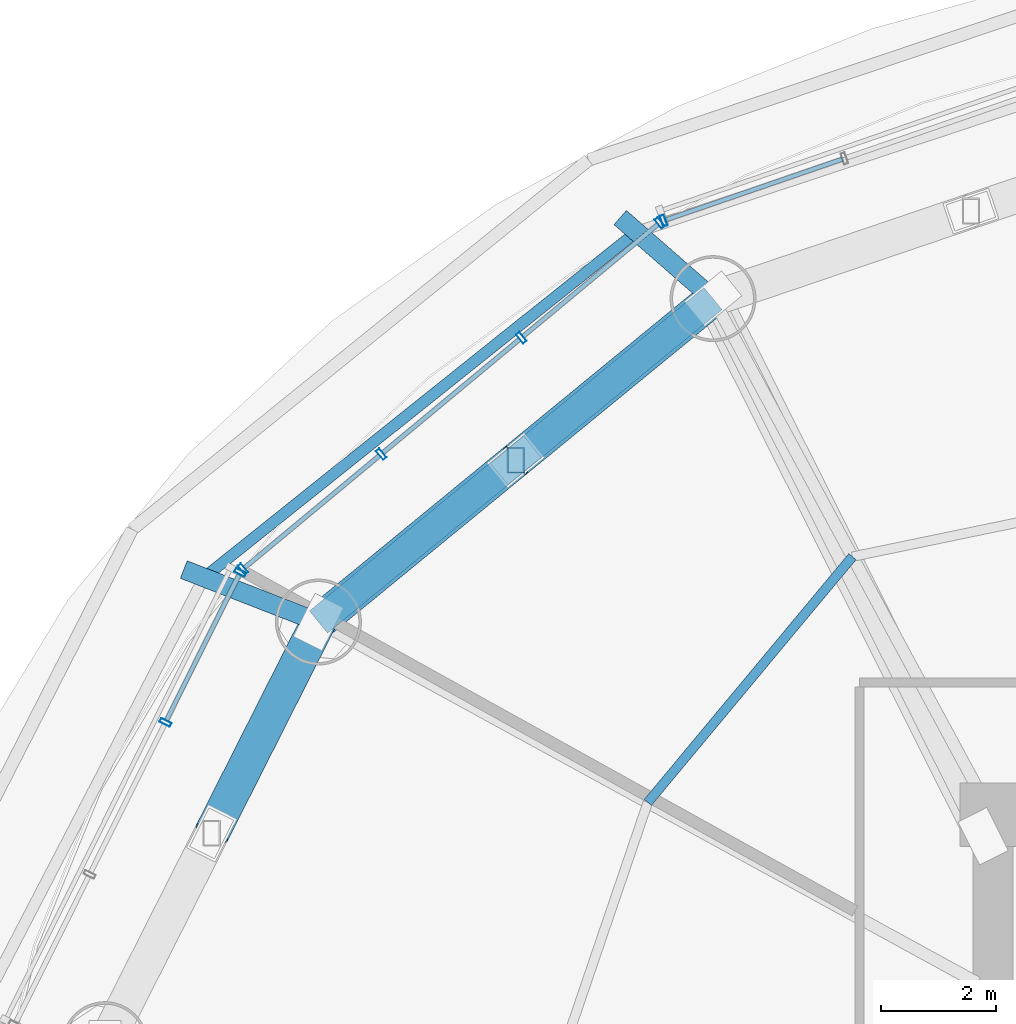
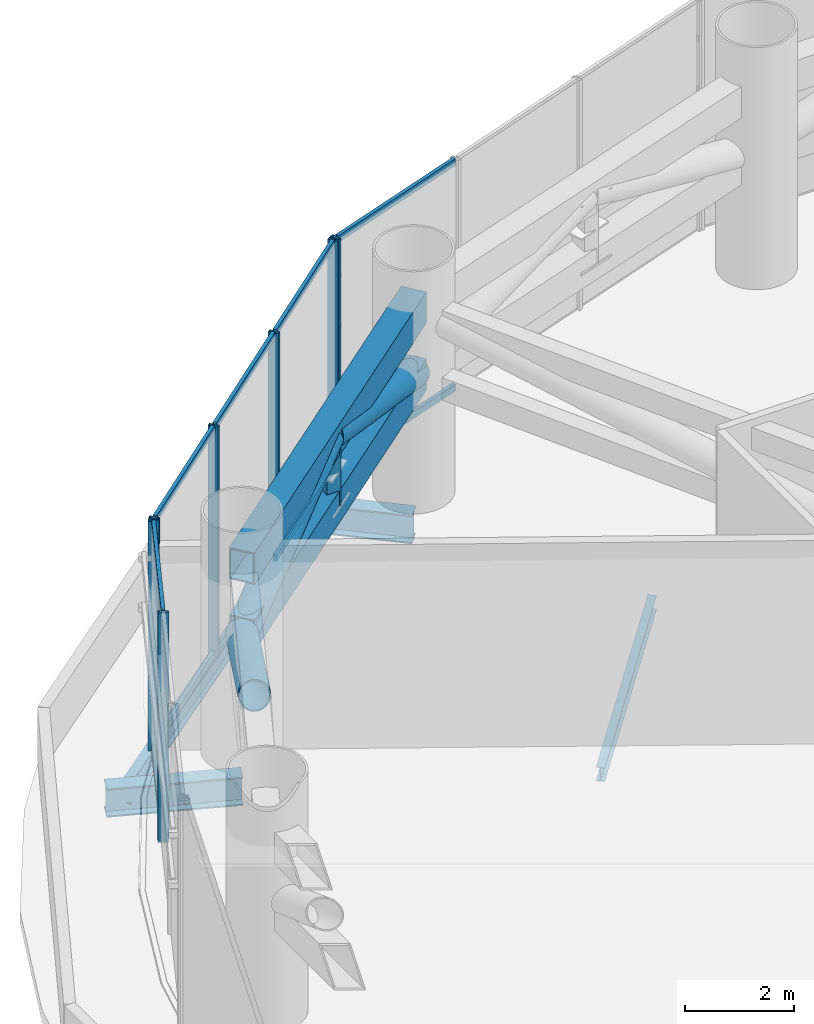
# One storey, part 18 of 33: 23 members, 4 beams, 3 elements without a shape of their own.
"""IFC4 building model written with IfcOpenShell, lengths in metres."""

from ifc_helpers import new_model, si_unit, direction, frame, origin, origin_2d, place, context, subcontext, project, spatial, hollow_rectangle, hollow_circle, i_section, extrude, source, transform, mapped, material, material_profile, profile_set, type_object, element, aggregate, save


model = new_model("IFC4")

# Units and contexts
model_context = context("Model", 3, precision=1e-05, world=origin(), true_north=direction((-0.2419218956, 0.970295726276)))
body_context = subcontext(model_context, "Body", "Model", "MODEL_VIEW")
ifc_project = project(units=[si_unit("LENGTHUNIT", "METRE"), si_unit("AREAUNIT", "SQUARE_METRE"), si_unit("VOLUMEUNIT", "CUBIC_METRE"), si_unit("PLANEANGLEUNIT", "RADIAN"), si_unit("MASSUNIT", "GRAM", prefix="KILO")], contexts=[model_context])

# Site, building, storey
site_placement = place(None, origin())
site = spatial("IfcSite", under=ifc_project, at=site_placement, CompositionType="ELEMENT")
building_placement = place(site_placement, origin())
building = spatial("IfcBuilding", under=site, at=building_placement, Name="Cobrevalo Terracotta Tower", CompositionType="ELEMENT")
storey_placement = place(building_placement, frame((0.0, 0.0, 74.39990234375)))
storey = spatial("IfcBuildingStorey", under=building, at=storey_placement, Name="L19", CompositionType="ELEMENT", Elevation=74.39990234375)

# Beams
ifc_material_1 = material(Name="Steel S355", Category="steel")
ifc_material_profile_1 = material_profile(ifc_material_1, i_section(OverallWidth=0.3291015625, OverallDepth=0.635009765625, WebThickness=0.017822265625, FlangeThickness=0.031005859375, at=origin_2d()), Name="W 610x241")
ifc_profile_set_1 = profile_set([ifc_material_profile_1], Name="Steel S355")
beam_type_1 = type_object("IfcBeamType", Name="Structural Beam W 610x241 (Steel S355)", PredefinedType="BEAM", material=ifc_profile_set_1)
beam_1_placement = place(storey_placement, frame((22.518798828125, 45.217529296875, -0.767333984375), z_axis=(0.753293726106, -0.657684242026, 0.0), x_axis=(0.657684242026, 0.753293726106, 0.0)))
element("IfcBeam", 1, at=beam_1_placement, inside=storey, type_object=beam_type_1, Name="L19 setback step-link girder 06", PredefinedType="BEAM", context=body_context, shape_type="SweptSolid", body=[
    extrude(i_section(OverallWidth=0.3291015625, OverallDepth=0.635009765625, WebThickness=0.017822265625, FlangeThickness=0.031005859375, at=origin_2d()), origin(), (0.0, 0.0, 1.0), 2.150146484375),
])
beam_2_placement = place(storey_placement, frame((14.9052734375, 39.0771484375, -0.767333984375), z_axis=(0.931731877135, -0.363146952528, 0.0), x_axis=(0.363146952528, 0.931731877135, 0.0)))
element("IfcBeam", 2, at=beam_2_placement, inside=storey, type_object=beam_type_1, Name="L19 setback step-link girder 07", PredefinedType="BEAM", context=body_context, shape_type="SweptSolid", body=[
    extrude(i_section(OverallWidth=0.3291015625, OverallDepth=0.635009765625, WebThickness=0.017822265625, FlangeThickness=0.031005859375, at=origin_2d()), origin(), (0.0, 0.0, 1.0), 2.521728515625),
])
ifc_material_profile_2 = material_profile(ifc_material_1, i_section(OverallWidth=0.1650390625, OverallDepth=0.31005859375, WebThickness=0.005859375, FlangeThickness=0.009765625, at=origin_2d()), Name="W 310x38.7")
ifc_profile_set_2 = profile_set([ifc_material_profile_2], Name="Steel S355")
beam_type_2 = type_object("IfcBeamType", Name="Structural Joist W 310x38.7 (Steel S355)", PredefinedType="JOIST", material=ifc_profile_set_2)
beam_3_placement = place(storey_placement, frame((26.5693359375, 39.3017578125, -0.60498046875), z_axis=(-0.639882999398, -0.768472346335, 0.0), x_axis=(0.768472346335, -0.639882999398, 0.0)))
element("IfcBeam", 3, at=beam_3_placement, inside=storey, type_object=beam_type_2, Name="L19 circumferential secondary floor joist 06", PredefinedType="JOIST", context=body_context, shape_type="SweptSolid", body=[
    extrude(i_section(OverallWidth=0.1650390625, OverallDepth=0.31005859375, WebThickness=0.005859375, FlangeThickness=0.009765625, at=origin_2d()), origin(), (0.0, 0.0, 1.0), 5.578125),
])
ifc_material_profile_3 = material_profile(ifc_material_1, i_section(OverallWidth=0.194091796875, OverallDepth=0.468994140625, WebThickness=0.011474609375, FlangeThickness=0.0205078125, at=origin_2d()), Name="W 460x106")
ifc_profile_set_3 = profile_set([ifc_material_profile_3], Name="Steel S355")
beam_type_3 = type_object("IfcBeamType", Name="Structural Spandrel W 460x106 (Steel S355)", PredefinedType="SPANDREL", material=ifc_profile_set_3)
beam_4_placement = place(storey_placement, frame((22.80517578125, 44.967529296875, -0.684326171875), z_axis=(-0.781292806807, -0.62416468182, 0.0), x_axis=(0.62416468182, -0.781292806807, 0.0)))
element("IfcBeam", 4, at=beam_4_placement, inside=storey, type_object=beam_type_3, Name="L19 perimeter ring spandrel 06", PredefinedType="SPANDREL", context=body_context, shape_type="SweptSolid", body=[
    extrude(i_section(OverallWidth=0.194091796875, OverallDepth=0.468994140625, WebThickness=0.011474609375, FlangeThickness=0.0205078125, at=origin_2d()), origin(), (0.0, 0.0, 1.0), 9.658203125),
])

# Members
ifc_material_profile_4 = material_profile(ifc_material_1, hollow_rectangle(XDim=0.300048828125, YDim=0.449951171875, WallThickness=0.02001953125, at=origin_2d()), Name="RHS 450x300x20")
ifc_profile_set_4 = profile_set([ifc_material_profile_4], Name="Steel S355")
member_type_1 = type_object("IfcMemberType", Name="Steel Post RHS 450x300x20 (Steel S355)", PredefinedType="POST", material=ifc_profile_set_4)
shared_shape_1 = source(origin(), body_context, "Body", "SweptSolid", [
    extrude(hollow_rectangle(XDim=0.300048828125, YDim=0.449951171875, WallThickness=0.02001953125, at=origin_2d()), origin(), (0.0, 0.0, 1.0), 1.494873046875),
])
member_1_placement = place(storey_placement, frame((20.69677734375, 40.982421875, 2.650146484375), z_axis=(0.0, 0.0, 1.0), x_axis=(1.0, 0.0, 0.0)))
element("IfcMember", 5, at=member_1_placement, inside=storey, type_object=member_type_1, Name="L19 belt truss post 06", PredefinedType="POST", context=body_context, shape_type="MappedRepresentation", body=[
    mapped(shared_shape_1, transform((0.0, 0.0, 0.0), scale=1.0)),
])
ifc_material_profile_5 = material_profile(ifc_material_1, hollow_circle(Radius=0.304931640625, WallThickness=0.02490234375, at=origin_2d()), Name="CHS 610x25")
ifc_profile_set_5 = profile_set([ifc_material_profile_5], Name="Steel S355")
member_type_2 = type_object("IfcMemberType", Name="Steel Brace CHS 610x25 (Steel S355)", PredefinedType="BRACE", material=ifc_profile_set_5)
shared_shape_2 = source(origin(), body_context, "Body", "SweptSolid", [
    extrude(hollow_circle(Radius=0.304931640625, WallThickness=0.02490234375, at=origin_2d()), origin(), (0.0, 0.0, 1.0), 4.39208984375),
])
member_2_placement = place(storey_placement, frame((17.2548828125, 38.161376953125, 2.650146484375), z_axis=(-0.424132810523, -0.839204854584, 0.340362411381), x_axis=(0.892491666612, -0.451063881317, 0.0)))
element("IfcMember", 6, at=member_2_placement, inside=storey, type_object=member_type_2, Name="L19 belt truss diagonal brace 07-D1", PredefinedType="BRACE", context=body_context, shape_type="MappedRepresentation", body=[
    mapped(shared_shape_2, transform((0.0, 0.0, 0.0), scale=1.0)),
])
ifc_material_profile_6 = material_profile(ifc_material_1, hollow_rectangle(XDim=0.5, YDim=0.699951171875, WallThickness=0.031982421875, at=origin_2d()), Name="RHS 700x500x32")
ifc_profile_set_6 = profile_set([ifc_material_profile_6], Name="Steel S355")
member_type_3 = type_object("IfcMemberType", Name="Steel Chord RHS 700x500x32 (Steel S355)", PredefinedType="CHORD", material=ifc_profile_set_6)
shared_shape_3 = source(origin(), body_context, "Body", "SweptSolid", [
    extrude(hollow_rectangle(XDim=0.5, YDim=0.699951171875, WallThickness=0.031982421875, at=origin_2d()), origin(), (0.0, 0.0, 1.0), 8.900390625),
])
for number, where, z_axis, x_axis, name in (
    (7, (24.138427734375, 43.803466796875, 2.650146484375), (-0.773400923541, -0.633917196064, 0.0), (0.633917196064, -0.773400923541, 0.0), "L19 belt truss chord 06-BC"),
    (8, (24.138427734375, 43.803466796875, 4.14501953125), (-0.773400923541, -0.633917196064, 0.0), (0.633917196064, -0.773400923541, 0.0), "L19 belt truss chord 06-TC"),
):
    element("IfcMember", number, at=place(storey_placement, frame(where, z_axis=z_axis, x_axis=x_axis)), inside=storey, type_object=member_type_3, Name=name, PredefinedType="CHORD", context=body_context, shape_type="MappedRepresentation", body=[
        mapped(shared_shape_3, transform((0.0, 0.0, 0.0), scale=1.0)),
    ])
shared_shape_4 = source(origin(), body_context, "Body", "SweptSolid", [
    extrude(hollow_circle(Radius=0.304931640625, WallThickness=0.02490234375, at=origin_2d()), origin(), (0.0, 0.0, 1.0), 4.694580078125),
])
member_3_placement = place(storey_placement, frame((17.2548828125, 38.161376953125, 2.650146484375), z_axis=(0.733155205541, 0.600908526034, 0.318421713969), x_axis=(-0.633903747879, 0.773411946136, 0.0)))
element("IfcMember", 9, at=member_3_placement, inside=storey, type_object=member_type_2, Name="L19 belt truss diagonal brace 06-D2", PredefinedType="BRACE", context=body_context, shape_type="MappedRepresentation", body=[
    mapped(shared_shape_4, transform((0.0, 0.0, 0.0), scale=1.0)),
])
shared_shape_5 = source(origin(), body_context, "Body", "SweptSolid", [
    extrude(hollow_circle(Radius=0.304931640625, WallThickness=0.02490234375, at=origin_2d()), origin(), (0.0, 0.0, 1.0), 4.6943359375),
])
member_4_placement = place(storey_placement, frame((24.138427734375, 43.803466796875, 2.650146484375), z_axis=(-0.733131153085, -0.600931437461, 0.318433854745), x_axis=(0.633930644629, -0.773389900245, 0.0)))
element("IfcMember", 10, at=member_4_placement, inside=storey, type_object=member_type_2, Name="L19 belt truss diagonal brace 06-D1", PredefinedType="BRACE", context=body_context, shape_type="MappedRepresentation", body=[
    mapped(shared_shape_5, transform((0.0, 0.0, 0.0), scale=1.0)),
])

# Curtain wall, member
ifc_material_2 = material(Name="Anodized aluminium", Category="aluminium")
curtain_wall_type = type_object("IfcCurtainWallType", Name="Belt-truss plant acoustic weather-louvre curtain wall CW-LV", PredefinedType="NOTDEFINED", material=ifc_material_2)
curtain_wall_1_placement = place(storey_placement, origin())
curtain_wall_1 = element("IfcCurtainWall", 11, at=curtain_wall_1_placement, inside=storey, type_object=curtain_wall_type, Name="L19 curtain wall CW-LV-L19-S05", PredefinedType="NOTDEFINED")
ifc_material_profile_7 = material_profile(ifc_material_2, hollow_rectangle(XDim=0.074951171875, YDim=0.199951171875, WallThickness=0.0048828125, at=origin_2d()), Name="CWM 75x200")
ifc_profile_set_7 = profile_set([ifc_material_profile_7], Name="Anodized aluminium")
member_type_4 = type_object("IfcMemberType", Name="Lower/mid tower unitised mullion 75x200", PredefinedType="MULLION", material=ifc_profile_set_7)
shared_shape_6 = source(origin(), body_context, "Body", "SweptSolid", [
    extrude(hollow_rectangle(XDim=0.074951171875, YDim=0.199951171875, WallThickness=0.0048828125, at=origin_2d()), origin(), (0.0, 0.0, 1.0), 5.125),
])
member_5_placement = place(storey_placement, frame((23.2763671875, 45.16357421875, 0.0), z_axis=(0.0, 0.0, 1.0), x_axis=(-0.94559809868, -0.325337110968, 0.0)))
member_5 = element("IfcMember", 12, at=member_5_placement, type_object=member_type_4, Name="CW-LV-L19-S05 vertical mullion 04", PredefinedType="MULLION", context=body_context, shape_type="MappedRepresentation", body=[
    mapped(shared_shape_6, transform((0.0, 0.0, 0.0), scale=1.0)),
])

# Curtain wall, members
curtain_wall_2_placement = place(storey_placement, origin())
curtain_wall_2 = element("IfcCurtainWall", 13, at=curtain_wall_2_placement, inside=storey, type_object=curtain_wall_type, Name="L19 curtain wall CW-LV-L19-S06", PredefinedType="NOTDEFINED")
member_6_placement = place(storey_placement, frame((23.207763671875, 45.125, 0.0), z_axis=(0.0, 0.0, 1.0), x_axis=(-0.769243451658, -0.638955798222, 0.0)))
member_6 = element("IfcMember", 14, at=member_6_placement, type_object=member_type_4, Name="CW-LV-L19-S06 vertical mullion 01", PredefinedType="MULLION", context=body_context, shape_type="MappedRepresentation", body=[
    mapped(shared_shape_6, transform((0.0, 0.0, 0.0), scale=1.0)),
])
member_7_placement = place(storey_placement, frame((20.794921875, 43.120849609375, 0.0), z_axis=(0.0, 0.0, 1.0), x_axis=(-0.769243451658, -0.638955798222, 0.0)))
member_7 = element("IfcMember", 15, at=member_7_placement, type_object=member_type_4, Name="CW-LV-L19-S06 vertical mullion 02", PredefinedType="MULLION", context=body_context, shape_type="MappedRepresentation", body=[
    mapped(shared_shape_6, transform((0.0, 0.0, 0.0), scale=1.0)),
])
member_8_placement = place(storey_placement, frame((18.351318359375, 41.091064453125, 0.0), z_axis=(0.0, 0.0, 1.0), x_axis=(-0.769243451658, -0.638955798222, 0.0)))
member_8 = element("IfcMember", 16, at=member_8_placement, type_object=member_type_4, Name="CW-LV-L19-S06 vertical mullion 03", PredefinedType="MULLION", context=body_context, shape_type="MappedRepresentation", body=[
    mapped(shared_shape_6, transform((0.0, 0.0, 0.0), scale=1.0)),
])
member_9_placement = place(storey_placement, frame((15.938720703125, 39.0869140625, 0.0), z_axis=(0.0, 0.0, 1.0), x_axis=(-0.769243451658, -0.638955798222, 0.0)))
member_9 = element("IfcMember", 17, at=member_9_placement, type_object=member_type_4, Name="CW-LV-L19-S06 vertical mullion 04", PredefinedType="MULLION", context=body_context, shape_type="MappedRepresentation", body=[
    mapped(shared_shape_6, transform((0.0, 0.0, 0.0), scale=1.0)),
])

curtain_wall_3_placement = place(storey_placement, origin())
curtain_wall_3 = element("IfcCurtainWall", 18, at=curtain_wall_3_placement, inside=storey, type_object=curtain_wall_type, Name="L19 curtain wall CW-LV-L19-S07", PredefinedType="NOTDEFINED")
member_10_placement = place(storey_placement, frame((15.889892578125, 39.025634765625, 0.0), z_axis=(0.0, 0.0, 1.0), x_axis=(-0.446260290227, -0.894903208937, 0.0)))
member_10 = element("IfcMember", 19, at=member_10_placement, type_object=member_type_4, Name="CW-LV-L19-S07 vertical mullion 01", PredefinedType="MULLION", context=body_context, shape_type="MappedRepresentation", body=[
    mapped(shared_shape_6, transform((0.0, 0.0, 0.0), scale=1.0)),
])
member_11_placement = place(storey_placement, frame((14.58544921875, 36.409423828125, 0.0), z_axis=(0.0, 0.0, 1.0), x_axis=(-0.446260290227, -0.894903208937, 0.0)))
member_11 = element("IfcMember", 20, at=member_11_placement, type_object=member_type_4, Name="CW-LV-L19-S07 vertical mullion 02", PredefinedType="MULLION", context=body_context, shape_type="MappedRepresentation", body=[
    mapped(shared_shape_6, transform((0.0, 0.0, 0.0), scale=1.0)),
])
ifc_material_profile_8 = material_profile(ifc_material_2, hollow_rectangle(XDim=0.074951171875, YDim=0.14990234375, WallThickness=0.00439453125, at=origin_2d()), Name="CWT 75x150")
ifc_profile_set_8 = profile_set([ifc_material_profile_8], Name="Anodized aluminium")
member_type_5 = type_object("IfcMemberType", Name="Tower unitised aluminium transom 75x150", PredefinedType="USERDEFINED", material=ifc_profile_set_8)
shared_shape_7 = source(origin(), body_context, "Body", "SweptSolid", [
    extrude(hollow_rectangle(XDim=0.074951171875, YDim=0.14990234375, WallThickness=0.00439453125, at=origin_2d()), origin(), (0.0, 0.0, 1.0), 2.84326171875),
])
member_12_placement = place(storey_placement, frame((15.8720703125, 38.98974609375, 0.050048828125), z_axis=(-0.446251624805, -0.89490753006, 0.0), x_axis=(0.89490753006, -0.446251624805, 0.0)))
member_12 = element("IfcMember", 21, at=member_12_placement, type_object=member_type_5, Name="CW-LV-L19-S07 transom B01-T1", ObjectType="TRANSOM", PredefinedType="USERDEFINED", context=body_context, shape_type="MappedRepresentation", body=[
    mapped(shared_shape_7, transform((0.0, 0.0, 0.0), scale=1.0)),
])
member_13_placement = place(storey_placement, frame((15.8720703125, 38.98974609375, 5.0751953125), z_axis=(-0.446251624805, -0.89490753006, 0.0), x_axis=(0.89490753006, -0.446251624805, 0.0)))
member_13 = element("IfcMember", 22, at=member_13_placement, type_object=member_type_5, Name="CW-LV-L19-S07 transom B01-T2", ObjectType="TRANSOM", PredefinedType="USERDEFINED", context=body_context, shape_type="MappedRepresentation", body=[
    mapped(shared_shape_7, transform((0.0, 0.0, 0.0), scale=1.0)),
])
aggregate(curtain_wall_3, [member_10, member_11, member_12, member_13])

# Member
shared_shape_8 = source(origin(), body_context, "Body", "SweptSolid", [
    extrude(hollow_rectangle(XDim=0.074951171875, YDim=0.14990234375, WallThickness=0.00439453125, at=origin_2d()), origin(), (0.0, 0.0, 1.0), 3.056396484375),
])
member_14_placement = place(storey_placement, frame((18.320556640625, 41.065673828125, 0.050048828125), z_axis=(-0.769202453253, -0.639005153273, 0.0), x_axis=(0.639005153273, -0.769202453253, 0.0)))
member_14 = element("IfcMember", 23, at=member_14_placement, type_object=member_type_5, Name="CW-LV-L19-S06 transom B03-T1", ObjectType="TRANSOM", PredefinedType="USERDEFINED", context=body_context, shape_type="MappedRepresentation", body=[
    mapped(shared_shape_8, transform((0.0, 0.0, 0.0), scale=1.0)),
])

member_15_placement = place(storey_placement, frame((18.320556640625, 41.065673828125, 5.0751953125), z_axis=(-0.769202453253, -0.639005153273, 0.0), x_axis=(0.639005153273, -0.769202453253, 0.0)))
member_15 = element("IfcMember", 24, at=member_15_placement, type_object=member_type_5, Name="CW-LV-L19-S06 transom B03-T2", ObjectType="TRANSOM", PredefinedType="USERDEFINED", context=body_context, shape_type="MappedRepresentation", body=[
    mapped(shared_shape_8, transform((0.0, 0.0, 0.0), scale=1.0)),
])

shared_shape_9 = source(origin(), body_context, "Body", "SweptSolid", [
    extrude(hollow_rectangle(XDim=0.074951171875, YDim=0.14990234375, WallThickness=0.00439453125, at=origin_2d()), origin(), (0.0, 0.0, 1.0), 3.0966796875),
])
member_16_placement = place(storey_placement, frame((20.76416015625, 43.09521484375, 0.050048828125), z_axis=(-0.769260719992, -0.63893500818, 0.0), x_axis=(0.63893500818, -0.769260719992, 0.0)))
member_16 = element("IfcMember", 25, at=member_16_placement, type_object=member_type_5, Name="CW-LV-L19-S06 transom B02-T1", ObjectType="TRANSOM", PredefinedType="USERDEFINED", context=body_context, shape_type="MappedRepresentation", body=[
    mapped(shared_shape_9, transform((0.0, 0.0, 0.0), scale=1.0)),
])

member_17_placement = place(storey_placement, frame((20.76416015625, 43.09521484375, 5.0751953125), z_axis=(-0.769260719992, -0.63893500818, 0.0), x_axis=(0.63893500818, -0.769260719992, 0.0)))
member_17 = element("IfcMember", 26, at=member_17_placement, type_object=member_type_5, Name="CW-LV-L19-S06 transom B02-T2", ObjectType="TRANSOM", PredefinedType="USERDEFINED", context=body_context, shape_type="MappedRepresentation", body=[
    mapped(shared_shape_9, transform((0.0, 0.0, 0.0), scale=1.0)),
])

shared_shape_10 = source(origin(), body_context, "Body", "SweptSolid", [
    extrude(hollow_rectangle(XDim=0.074951171875, YDim=0.14990234375, WallThickness=0.00439453125, at=origin_2d()), origin(), (0.0, 0.0, 1.0), 3.056640625),
])
member_18_placement = place(storey_placement, frame((23.177001953125, 45.099365234375, 0.050048828125), z_axis=(-0.769274323891, -0.638918629094, 0.0), x_axis=(0.638918629094, -0.769274323891, 0.0)))
member_18 = element("IfcMember", 27, at=member_18_placement, type_object=member_type_5, Name="CW-LV-L19-S06 transom B01-T1", ObjectType="TRANSOM", PredefinedType="USERDEFINED", context=body_context, shape_type="MappedRepresentation", body=[
    mapped(shared_shape_10, transform((0.0, 0.0, 0.0), scale=1.0)),
])

member_19_placement = place(storey_placement, frame((23.177001953125, 45.099365234375, 5.0751953125), z_axis=(-0.769274323891, -0.638918629094, 0.0), x_axis=(0.638918629094, -0.769274323891, 0.0)))
member_19 = element("IfcMember", 28, at=member_19_placement, type_object=member_type_5, Name="CW-LV-L19-S06 transom B01-T2", ObjectType="TRANSOM", PredefinedType="USERDEFINED", context=body_context, shape_type="MappedRepresentation", body=[
    mapped(shared_shape_10, transform((0.0, 0.0, 0.0), scale=1.0)),
])

aggregate(curtain_wall_2, [member_6, member_7, member_8, member_9, member_18, member_19, member_16, member_17, member_14, member_15])

shared_shape_11 = source(origin(), body_context, "Body", "SweptSolid", [
    extrude(hollow_rectangle(XDim=0.074951171875, YDim=0.14990234375, WallThickness=0.00439453125, at=origin_2d()), origin(), (0.0, 0.0, 1.0), 3.25634765625),
])
member_20_placement = place(storey_placement, frame((26.393310546875, 46.236083984375, 0.050048828125), z_axis=(-0.945579946985, -0.325389864408, 0.0), x_axis=(0.325389864408, -0.945579946985, 0.0)))
member_20 = element("IfcMember", 29, at=member_20_placement, type_object=member_type_5, Name="CW-LV-L19-S05 transom B03-T1", ObjectType="TRANSOM", PredefinedType="USERDEFINED", context=body_context, shape_type="MappedRepresentation", body=[
    mapped(shared_shape_11, transform((0.0, 0.0, 0.0), scale=1.0)),
])

member_21_placement = place(storey_placement, frame((26.393310546875, 46.236083984375, 5.0751953125), z_axis=(-0.945579946985, -0.325389864408, 0.0), x_axis=(0.325389864408, -0.945579946985, 0.0)))
member_21 = element("IfcMember", 30, at=member_21_placement, type_object=member_type_5, Name="CW-LV-L19-S05 transom B03-T2", ObjectType="TRANSOM", PredefinedType="USERDEFINED", context=body_context, shape_type="MappedRepresentation", body=[
    mapped(shared_shape_11, transform((0.0, 0.0, 0.0), scale=1.0)),
])

aggregate(curtain_wall_1, [member_5, member_20, member_21])

save(model, "model.ifc")
